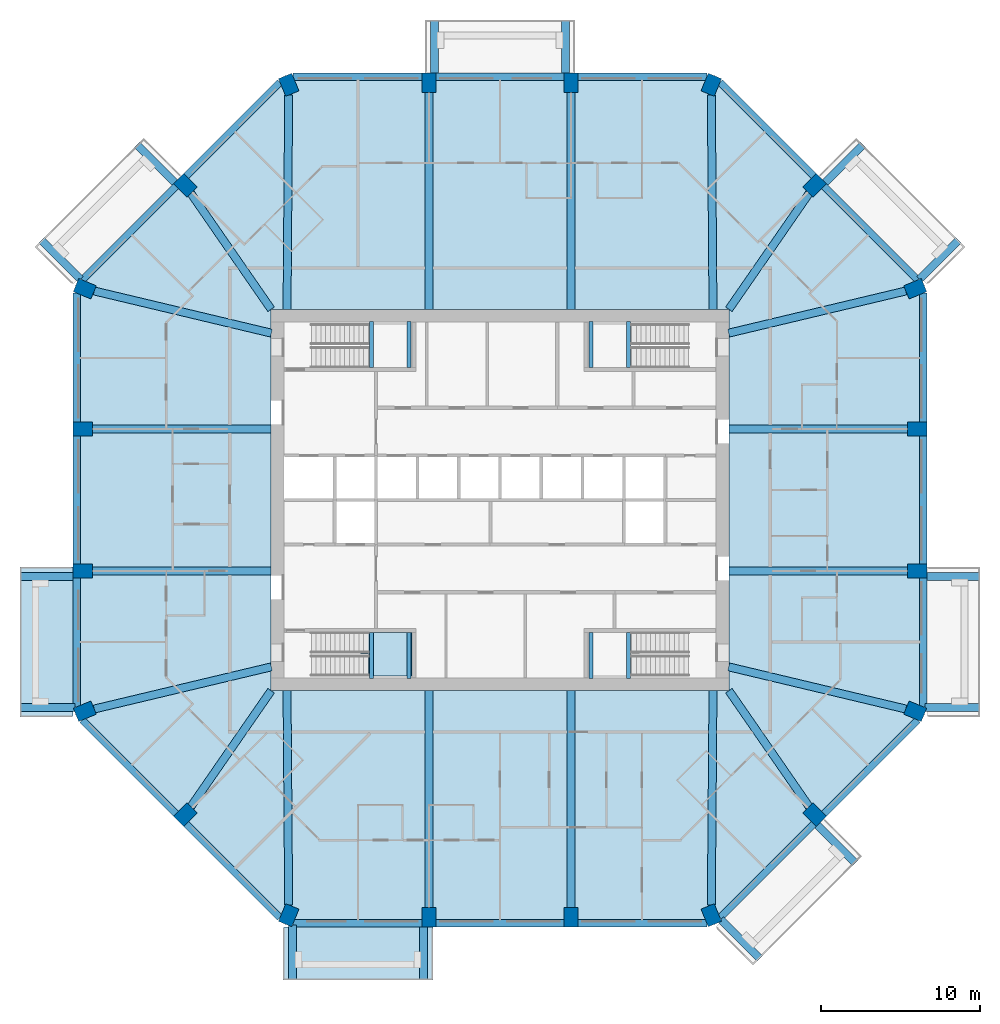
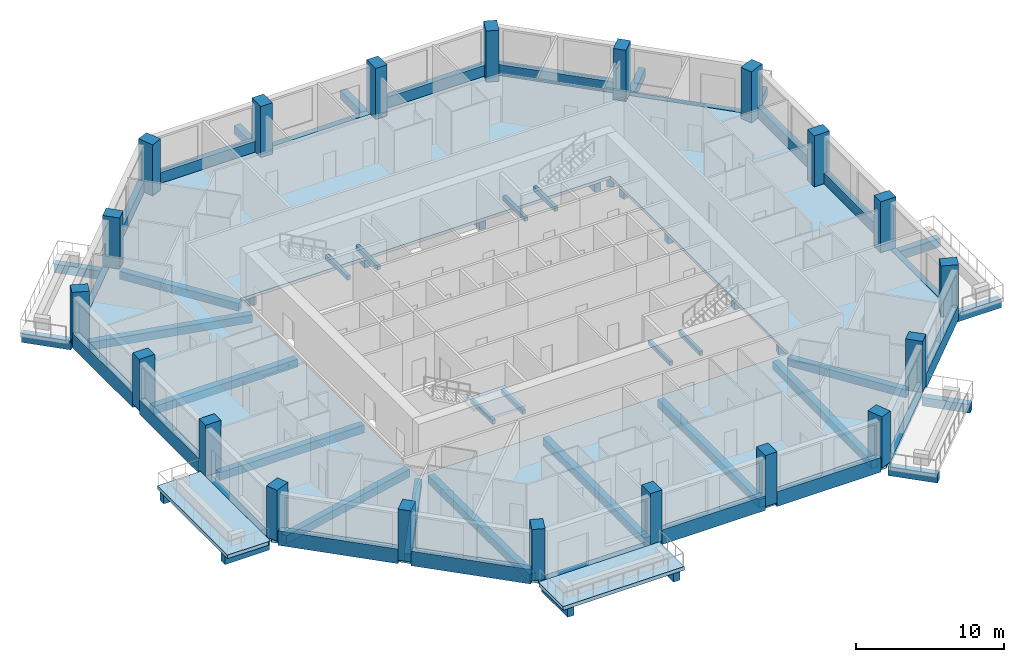
# One storey, part 1 of 12: 62 beams, 20 columns, 4 slabs, 1 element without a shape of its own.
"""IFC4 building model written with IfcOpenShell, lengths in metres."""

from ifc_helpers import new_model, si_unit, direction, frame, origin, origin_2d, place, context, subcontext, project, spatial, polyline, rectangle, outline, extrude, material, layer, layer_set, material_profile, profile_set, type_object, element, aggregate, save


model = new_model("IFC4")

# Units and contexts
model_context = context("Model", 3, precision=1e-05, world=origin(), true_north=direction((0.0, 1.0)))
body_context = subcontext(model_context, "Body", "Model", "MODEL_VIEW")
ifc_project = project(units=[si_unit("LENGTHUNIT", "METRE"), si_unit("AREAUNIT", "SQUARE_METRE"), si_unit("VOLUMEUNIT", "CUBIC_METRE"), si_unit("PLANEANGLEUNIT", "RADIAN"), si_unit("MASSUNIT", "GRAM", prefix="KILO")], contexts=[model_context])

# Site, building, storey
site_placement = place(None, origin())
site = spatial("IfcSite", under=ifc_project, at=site_placement, CompositionType="ELEMENT")
building_placement = place(site_placement, origin())
building = spatial("IfcBuilding", under=site, at=building_placement, Name="Msitu Wima Residences", CompositionType="ELEMENT")
storey_placement = place(building_placement, frame((0.0, 0.0, 127.5)))
storey = spatial("IfcBuildingStorey", under=building, at=storey_placement, Name="L29", CompositionType="ELEMENT", Elevation=127.5)

# Columns
ifc_material_1 = material(Name="Concrete C70/85", Category="concrete")
ifc_material_profile_1 = material_profile(ifc_material_1, rectangle(XDim=0.89990234375, YDim=1.199951171875, at=origin_2d()), Name="RC 900x1200")
ifc_profile_set_1 = profile_set([ifc_material_profile_1], Name="Concrete C70/85")
column_type = type_object("IfcColumnType", Name="Column RC 900x1200 Concrete C70/85", PredefinedType="COLUMN", material=ifc_profile_set_1)
for number, where, z_axis, x_axis, name in (
    (1, (26.12353515625, -13.291259765625, 0.0), (0.0, 0.0, 1.0), (0.382683496864, 0.923879505795, 0.0), "Column L29 C-E0"),
    (2, (26.25, -4.46875, 0.0), (0.0, 0.0, 1.0), (0.0, 1.0, 0.0), "Column L29 C-E1"),
    (3, (26.25, 4.46875, 0.0), (0.0, 0.0, 1.0), (0.0, 1.0, 0.0), "Column L29 C-E2"),
    (4, (26.12353515625, 13.291259765625, 0.0), (0.0, 0.0, 1.0), (-0.382683496864, 0.923879505795, 0.0), "Column L29 C-NE0"),
    (5, (19.796875, 19.796875, 0.0), (0.0, 0.0, 1.0), (-0.707106781187, 0.707106781187, 0.0), "Column L29 C-NE1"),
    (6, (13.291259765625, 26.12353515625, 0.0), (0.0, 0.0, 1.0), (-0.923879505795, 0.382683496864, 0.0), "Column L29 C-N0"),
    (7, (4.46875, 26.25, 0.0), (0.0, 0.0, 1.0), (-1.0, 0.0, 0.0), "Column L29 C-N1"),
    (8, (-4.46875, 26.25, 0.0), (0.0, 0.0, 1.0), (-1.0, 0.0, 0.0), "Column L29 C-N2"),
    (9, (-13.291259765625, 26.12353515625, 0.0), (0.0, 0.0, 1.0), (-0.923879505795, -0.382683496864, 0.0), "Column L29 C-NW0"),
    (10, (-19.796875, 19.796875, 0.0), (0.0, 0.0, 1.0), (-0.707106781187, -0.707106781187, 0.0), "Column L29 C-NW1"),
    (11, (-26.12353515625, 13.291259765625, 0.0), (0.0, 0.0, 1.0), (-0.382683496864, -0.923879505795, 0.0), "Column L29 C-W0"),
    (12, (-26.25, 4.46875, 0.0), (0.0, 0.0, 1.0), (0.0, -1.0, 0.0), "Column L29 C-W1"),
    (13, (-26.25, -4.46875, 0.0), (0.0, 0.0, 1.0), (0.0, -1.0, 0.0), "Column L29 C-W2"),
    (14, (-26.12353515625, -13.291259765625, 0.0), (0.0, 0.0, 1.0), (0.382683496864, -0.923879505795, 0.0), "Column L29 C-SW0"),
    (15, (-19.796875, -19.796875, 0.0), (0.0, 0.0, 1.0), (0.707106781187, -0.707106781187, 0.0), "Column L29 C-SW1"),
    (16, (-13.291259765625, -26.12353515625, 0.0), (0.0, 0.0, 1.0), (0.923879505795, -0.382683496864, 0.0), "Column L29 C-S0"),
    (17, (-4.46875, -26.25, 0.0), (0.0, 0.0, 1.0), (1.0, 0.0, 0.0), "Column L29 C-S1"),
    (18, (4.46875, -26.25, 0.0), (0.0, 0.0, 1.0), (1.0, 0.0, 0.0), "Column L29 C-S2"),
    (19, (13.291259765625, -26.12353515625, 0.0), (0.0, 0.0, 1.0), (0.923879505795, 0.382683496864, 0.0), "Column L29 C-SE0"),
    (20, (19.796875, -19.796875, 0.0), (0.0, 0.0, 1.0), (0.707106781187, 0.707106781187, 0.0), "Column L29 C-SE1"),
):
    element("IfcColumn", number, at=place(storey_placement, frame(where, z_axis=z_axis, x_axis=x_axis)), inside=storey, type_object=column_type, Name=name, PredefinedType="COLUMN", context=body_context, shape_type="SweptSolid", body=[
        extrude(rectangle(XDim=0.89990234375, YDim=1.199951171875, at=origin_2d()), origin(), (0.0, 0.0, 1.0), 4.199951171875),
    ])

# Beams
ifc_material_2 = material(Name="Concrete C50/60", Category="concrete")
ifc_material_profile_2 = material_profile(ifc_material_2, rectangle(XDim=0.5, YDim=0.64990234375, at=origin_2d()), Name="RC 500x650")
ifc_profile_set_2 = profile_set([ifc_material_profile_2], Name="Concrete C50/60")
beam_type_1 = type_object("IfcBeamType", Name="Beam RC 500x650 Concrete C50/60", PredefinedType="BEAM", material=ifc_profile_set_2)
beam_1_placement = place(storey_placement, frame((25.5322265625, -13.150634765625, -0.574951171875), z_axis=(-0.972805528659, 0.231623408598, 0.0), x_axis=(-0.231623408598, -0.972805528659, 0.0)))
element("IfcBeam", 21, at=beam_1_placement, inside=storey, type_object=beam_type_1, Name="Beam L29 C-E0", PredefinedType="BEAM", context=body_context, shape_type="SweptSolid", body=[
    extrude(rectangle(XDim=0.5, YDim=0.64990234375, at=origin_2d()), origin(), (0.0, 0.0, 1.0), 11.455322265625),
])
for number, where, z_axis, x_axis, name in (
    (22, (25.64990234375, -4.46875, -0.574951171875), (-1.0, 0.0, 0.0), (0.0, -1.0, 0.0), "Beam L29 C-E1"),
    (23, (25.64990234375, 4.46875, -0.574951171875), (-1.0, 0.0, 0.0), (0.0, -1.0, 0.0), "Beam L29 C-E2"),
):
    element("IfcBeam", number, at=place(storey_placement, frame(where, z_axis=z_axis, x_axis=x_axis)), inside=storey, type_object=beam_type_1, Name=name, PredefinedType="BEAM", context=body_context, shape_type="SweptSolid", body=[
        extrude(rectangle(XDim=0.5, YDim=0.64990234375, at=origin_2d()), origin(), (0.0, 0.0, 1.0), 11.25),
    ])
beam_2_placement = place(storey_placement, frame((25.5322265625, 13.150634765625, -0.574951171875), z_axis=(-0.972805528659, -0.231623408598, 0.0), x_axis=(0.231623408598, -0.972805528659, 0.0)))
element("IfcBeam", 24, at=beam_2_placement, inside=storey, type_object=beam_type_1, Name="Beam L29 C-NE0", PredefinedType="BEAM", context=body_context, shape_type="SweptSolid", body=[
    extrude(rectangle(XDim=0.5, YDim=0.64990234375, at=origin_2d()), origin(), (0.0, 0.0, 1.0), 11.455322265625),
])
beam_3_placement = place(storey_placement, frame((19.44970703125, 19.29541015625, -0.574951171875), z_axis=(-0.569144158363, -0.822237755763, 0.0), x_axis=(0.822237755763, -0.569144158363, 0.0)))
element("IfcBeam", 25, at=beam_3_placement, inside=storey, type_object=beam_type_1, Name="Beam L29 C-NE1", PredefinedType="BEAM", context=body_context, shape_type="SweptSolid", body=[
    extrude(rectangle(XDim=0.5, YDim=0.64990234375, at=origin_2d()), origin(), (0.0, 0.0, 1.0), 8.87255859375),
])
beam_4_placement = place(storey_placement, frame((13.29638671875, 25.471923828125, -0.574951171875), z_axis=(0.007694865426, -0.999970394085, 0.0), x_axis=(0.999970394085, 0.007694865426, 0.0)))
element("IfcBeam", 26, at=beam_4_placement, inside=storey, type_object=beam_type_1, Name="Beam L29 C-N0", PredefinedType="BEAM", context=body_context, shape_type="SweptSolid", body=[
    extrude(rectangle(XDim=0.5, YDim=0.64990234375, at=origin_2d()), origin(), (0.0, 0.0, 1.0), 13.484375),
])
for number, where, z_axis, x_axis, name in (
    (27, (4.46875, 25.64990234375, -0.574951171875), (0.0, -1.0, 0.0), (1.0, 0.0, 0.0), "Beam L29 C-N1"),
    (28, (-4.46875, 25.64990234375, -0.574951171875), (0.0, -1.0, 0.0), (1.0, 0.0, 0.0), "Beam L29 C-N2"),
):
    element("IfcBeam", number, at=place(storey_placement, frame(where, z_axis=z_axis, x_axis=x_axis)), inside=storey, type_object=beam_type_1, Name=name, PredefinedType="BEAM", context=body_context, shape_type="SweptSolid", body=[
        extrude(rectangle(XDim=0.5, YDim=0.64990234375, at=origin_2d()), origin(), (0.0, 0.0, 1.0), 13.64990234375),
    ])
beam_5_placement = place(storey_placement, frame((-13.29638671875, 25.471923828125, -0.574951171875), z_axis=(-0.007694865426, -0.999970394085, 0.0), x_axis=(0.999970394085, -0.007694865426, 0.0)))
element("IfcBeam", 29, at=beam_5_placement, inside=storey, type_object=beam_type_1, Name="Beam L29 C-NW0", PredefinedType="BEAM", context=body_context, shape_type="SweptSolid", body=[
    extrude(rectangle(XDim=0.5, YDim=0.64990234375, at=origin_2d()), origin(), (0.0, 0.0, 1.0), 13.484375),
])
beam_6_placement = place(storey_placement, frame((-19.44970703125, 19.29541015625, -0.574951171875), z_axis=(0.569144158363, -0.822237755763, 0.0), x_axis=(0.822237755763, 0.569144158363, 0.0)))
element("IfcBeam", 30, at=beam_6_placement, inside=storey, type_object=beam_type_1, Name="Beam L29 C-NW1", PredefinedType="BEAM", context=body_context, shape_type="SweptSolid", body=[
    extrude(rectangle(XDim=0.5, YDim=0.64990234375, at=origin_2d()), origin(), (0.0, 0.0, 1.0), 8.87255859375),
])
beam_7_placement = place(storey_placement, frame((-25.5322265625, 13.150634765625, -0.574951171875), z_axis=(0.972805528659, -0.231623408598, 0.0), x_axis=(0.231623408598, 0.972805528659, 0.0)))
element("IfcBeam", 31, at=beam_7_placement, inside=storey, type_object=beam_type_1, Name="Beam L29 C-W0", PredefinedType="BEAM", context=body_context, shape_type="SweptSolid", body=[
    extrude(rectangle(XDim=0.5, YDim=0.64990234375, at=origin_2d()), origin(), (0.0, 0.0, 1.0), 11.455322265625),
])
for number, where, z_axis, x_axis, name in (
    (32, (-25.64990234375, 4.46875, -0.574951171875), (1.0, 0.0, 0.0), (0.0, 1.0, 0.0), "Beam L29 C-W1"),
    (33, (-25.64990234375, -4.46875, -0.574951171875), (1.0, 0.0, 0.0), (0.0, 1.0, 0.0), "Beam L29 C-W2"),
):
    element("IfcBeam", number, at=place(storey_placement, frame(where, z_axis=z_axis, x_axis=x_axis)), inside=storey, type_object=beam_type_1, Name=name, PredefinedType="BEAM", context=body_context, shape_type="SweptSolid", body=[
        extrude(rectangle(XDim=0.5, YDim=0.64990234375, at=origin_2d()), origin(), (0.0, 0.0, 1.0), 11.25),
    ])
beam_8_placement = place(storey_placement, frame((-25.5322265625, -13.150634765625, -0.574951171875), z_axis=(0.972805528659, 0.231623408598, 0.0), x_axis=(-0.231623408598, 0.972805528659, 0.0)))
element("IfcBeam", 34, at=beam_8_placement, inside=storey, type_object=beam_type_1, Name="Beam L29 C-SW0", PredefinedType="BEAM", context=body_context, shape_type="SweptSolid", body=[
    extrude(rectangle(XDim=0.5, YDim=0.64990234375, at=origin_2d()), origin(), (0.0, 0.0, 1.0), 11.455322265625),
])
beam_9_placement = place(storey_placement, frame((-19.44970703125, -19.29541015625, -0.574951171875), z_axis=(0.569144158363, 0.822237755763, 0.0), x_axis=(-0.822237755763, 0.569144158363, 0.0)))
element("IfcBeam", 35, at=beam_9_placement, inside=storey, type_object=beam_type_1, Name="Beam L29 C-SW1", PredefinedType="BEAM", context=body_context, shape_type="SweptSolid", body=[
    extrude(rectangle(XDim=0.5, YDim=0.64990234375, at=origin_2d()), origin(), (0.0, 0.0, 1.0), 8.87255859375),
])
beam_10_placement = place(storey_placement, frame((-13.29638671875, -25.471923828125, -0.574951171875), z_axis=(-0.007694865426, 0.999970394085, 0.0), x_axis=(-0.999970394085, -0.007694865426, 0.0)))
element("IfcBeam", 36, at=beam_10_placement, inside=storey, type_object=beam_type_1, Name="Beam L29 C-S0", PredefinedType="BEAM", context=body_context, shape_type="SweptSolid", body=[
    extrude(rectangle(XDim=0.5, YDim=0.64990234375, at=origin_2d()), origin(), (0.0, 0.0, 1.0), 13.484375),
])
for number, where, z_axis, x_axis, name in (
    (37, (-4.46875, -25.64990234375, -0.574951171875), (0.0, 1.0, 0.0), (-1.0, 0.0, 0.0), "Beam L29 C-S1"),
    (38, (4.46875, -25.64990234375, -0.574951171875), (0.0, 1.0, 0.0), (-1.0, 0.0, 0.0), "Beam L29 C-S2"),
):
    element("IfcBeam", number, at=place(storey_placement, frame(where, z_axis=z_axis, x_axis=x_axis)), inside=storey, type_object=beam_type_1, Name=name, PredefinedType="BEAM", context=body_context, shape_type="SweptSolid", body=[
        extrude(rectangle(XDim=0.5, YDim=0.64990234375, at=origin_2d()), origin(), (0.0, 0.0, 1.0), 13.64990234375),
    ])
beam_11_placement = place(storey_placement, frame((13.29638671875, -25.471923828125, -0.574951171875), z_axis=(0.007694865426, 0.999970394085, 0.0), x_axis=(-0.999970394085, 0.007694865426, 0.0)))
element("IfcBeam", 39, at=beam_11_placement, inside=storey, type_object=beam_type_1, Name="Beam L29 C-SE0", PredefinedType="BEAM", context=body_context, shape_type="SweptSolid", body=[
    extrude(rectangle(XDim=0.5, YDim=0.64990234375, at=origin_2d()), origin(), (0.0, 0.0, 1.0), 13.484375),
])
beam_12_placement = place(storey_placement, frame((19.44970703125, -19.29541015625, -0.574951171875), z_axis=(-0.569144158363, 0.822237755763, 0.0), x_axis=(-0.822237755763, -0.569144158363, 0.0)))
element("IfcBeam", 40, at=beam_12_placement, inside=storey, type_object=beam_type_1, Name="Beam L29 C-SE1", PredefinedType="BEAM", context=body_context, shape_type="SweptSolid", body=[
    extrude(rectangle(XDim=0.5, YDim=0.64990234375, at=origin_2d()), origin(), (0.0, 0.0, 1.0), 8.87255859375),
])
ifc_material_profile_3 = material_profile(ifc_material_2, rectangle(XDim=0.5, YDim=0.699951171875, at=origin_2d()), Name="RC 500x700")
ifc_profile_set_3 = profile_set([ifc_material_profile_3], Name="Concrete C50/60")
beam_type_2 = type_object("IfcBeamType", Name="Cantilever beam RC 500x700 Concrete C50/60", PredefinedType="BEAM", material=ifc_profile_set_3)
beam_13_placement = place(storey_placement, frame((26.73095703125, -13.055908203125, -0.64990234375), z_axis=(1.0, 0.0, 0.0), x_axis=(0.0, 1.0, 0.0)))
element("IfcBeam", 41, at=beam_13_placement, inside=storey, type_object=beam_type_2, Name="Cantilever beam L29 BA-E0 A", PredefinedType="BEAM", context=body_context, shape_type="SweptSolid", body=[
    extrude(rectangle(XDim=0.5, YDim=0.699951171875, at=origin_2d()), origin(), (0.0, 0.0, 1.0), 3.468994140625),
])
beam_14_placement = place(storey_placement, frame((26.85009765625, -4.818603515625, -0.64990234375), z_axis=(1.0, 0.0, 0.0), x_axis=(0.0, 1.0, 0.0)))
element("IfcBeam", 42, at=beam_14_placement, inside=storey, type_object=beam_type_2, Name="Cantilever beam L29 BA-E0 B", PredefinedType="BEAM", context=body_context, shape_type="SweptSolid", body=[
    extrude(rectangle(XDim=0.5, YDim=0.699951171875, at=origin_2d()), origin(), (0.0, 0.0, 1.0), 3.349853515625),
])
beam_15_placement = place(storey_placement, frame((26.386474609375, 13.887451171875, -0.64990234375), z_axis=(0.707141968506, 0.707071592116, 0.0), x_axis=(-0.707071592116, 0.707141968506, 0.0)))
element("IfcBeam", 43, at=beam_15_placement, inside=storey, type_object=beam_type_2, Name="Cantilever beam L29 BA-NE0 A", PredefinedType="BEAM", context=body_context, shape_type="SweptSolid", body=[
    extrude(rectangle(XDim=0.5, YDim=0.699951171875, at=origin_2d()), origin(), (0.0, 0.0, 1.0), 3.468994140625),
])
for number, where, z_axis, x_axis, name in (
    (44, (20.46875, 19.9736328125, -0.64990234375), (0.707070340836, 0.707143219659, 0.0), (-0.707143219659, 0.707070340836, 0.0), "Cantilever beam L29 BA-NE0 B"),
    (45, (4.11865234375, 26.85009765625, -0.64990234375), (0.0, 1.0, 0.0), (-1.0, 0.0, 0.0), "Cantilever beam L29 BA-N1 A"),
    (46, (-4.11865234375, 26.85009765625, -0.64990234375), (0.0, 1.0, 0.0), (-1.0, 0.0, 0.0), "Cantilever beam L29 BA-N1 B"),
    (47, (-20.46875, 19.9736328125, -0.64990234375), (-0.707070340836, 0.707143219659, 0.0), (-0.707143219659, -0.707070340836, 0.0), "Cantilever beam L29 BA-NW1 A"),
):
    element("IfcBeam", number, at=place(storey_placement, frame(where, z_axis=z_axis, x_axis=x_axis)), inside=storey, type_object=beam_type_2, Name=name, PredefinedType="BEAM", context=body_context, shape_type="SweptSolid", body=[
        extrude(rectangle(XDim=0.5, YDim=0.699951171875, at=origin_2d()), origin(), (0.0, 0.0, 1.0), 3.349853515625),
    ])
beam_16_placement = place(storey_placement, frame((-26.386474609375, 13.887451171875, -0.64990234375), z_axis=(-0.707141968506, 0.707071592116, 0.0), x_axis=(-0.707071592116, -0.707141968506, 0.0)))
element("IfcBeam", 48, at=beam_16_placement, inside=storey, type_object=beam_type_2, Name="Cantilever beam L29 BA-NW1 B", PredefinedType="BEAM", context=body_context, shape_type="SweptSolid", body=[
    extrude(rectangle(XDim=0.5, YDim=0.699951171875, at=origin_2d()), origin(), (0.0, 0.0, 1.0), 3.468994140625),
])
beam_17_placement = place(storey_placement, frame((-26.85009765625, -4.818603515625, -0.64990234375), z_axis=(-1.0, 0.0, 0.0), x_axis=(0.0, -1.0, 0.0)))
element("IfcBeam", 49, at=beam_17_placement, inside=storey, type_object=beam_type_2, Name="Cantilever beam L29 BA-W2 A", PredefinedType="BEAM", context=body_context, shape_type="SweptSolid", body=[
    extrude(rectangle(XDim=0.5, YDim=0.699951171875, at=origin_2d()), origin(), (0.0, 0.0, 1.0), 3.349853515625),
])
for number, where, z_axis, x_axis, name in (
    (50, (-26.73095703125, -13.055908203125, -0.64990234375), (-1.0, 0.0, 0.0), (0.0, -1.0, 0.0), "Cantilever beam L29 BA-W2 B"),
    (51, (-13.055908203125, -26.73095703125, -0.64990234375), (0.0, -1.0, 0.0), (1.0, 0.0, 0.0), "Cantilever beam L29 BA-S0 A"),
):
    element("IfcBeam", number, at=place(storey_placement, frame(where, z_axis=z_axis, x_axis=x_axis)), inside=storey, type_object=beam_type_2, Name=name, PredefinedType="BEAM", context=body_context, shape_type="SweptSolid", body=[
        extrude(rectangle(XDim=0.5, YDim=0.699951171875, at=origin_2d()), origin(), (0.0, 0.0, 1.0), 3.468994140625),
    ])
beam_18_placement = place(storey_placement, frame((-4.818603515625, -26.85009765625, -0.64990234375), z_axis=(0.0, -1.0, 0.0), x_axis=(1.0, 0.0, 0.0)))
element("IfcBeam", 52, at=beam_18_placement, inside=storey, type_object=beam_type_2, Name="Cantilever beam L29 BA-S0 B", PredefinedType="BEAM", context=body_context, shape_type="SweptSolid", body=[
    extrude(rectangle(XDim=0.5, YDim=0.699951171875, at=origin_2d()), origin(), (0.0, 0.0, 1.0), 3.349853515625),
])
beam_19_placement = place(storey_placement, frame((13.887451171875, -26.386474609375, -0.64990234375), z_axis=(0.707071592116, -0.707141968506, 0.0), x_axis=(0.707141968506, 0.707071592116, 0.0)))
element("IfcBeam", 53, at=beam_19_placement, inside=storey, type_object=beam_type_2, Name="Cantilever beam L29 BA-SE0 A", PredefinedType="BEAM", context=body_context, shape_type="SweptSolid", body=[
    extrude(rectangle(XDim=0.5, YDim=0.699951171875, at=origin_2d()), origin(), (0.0, 0.0, 1.0), 3.468994140625),
])
beam_20_placement = place(storey_placement, frame((19.9736328125, -20.46875, -0.64990234375), z_axis=(0.707143219659, -0.707070340836, 0.0), x_axis=(0.707070340836, 0.707143219659, 0.0)))
element("IfcBeam", 54, at=beam_20_placement, inside=storey, type_object=beam_type_2, Name="Cantilever beam L29 BA-SE0 B", PredefinedType="BEAM", context=body_context, shape_type="SweptSolid", body=[
    extrude(rectangle(XDim=0.5, YDim=0.699951171875, at=origin_2d()), origin(), (0.0, 0.0, 1.0), 3.349853515625),
])
ifc_material_profile_4 = material_profile(ifc_material_2, rectangle(XDim=0.449951171875, YDim=0.300048828125, at=origin_2d()), Name="RC 450x300")
ifc_profile_set_4 = profile_set([ifc_material_profile_4], Name="Concrete C50/60")
beam_type_3 = type_object("IfcBeamType", Name="Edge beam RC 450x300 Concrete C50/60", PredefinedType="SPANDREL", material=ifc_profile_set_4)
beam_21_placement = place(storey_placement, frame((26.625, -13.02392578125, -0.14990234375), z_axis=(0.0, 1.0, 0.0), x_axis=(-1.0, 0.0, 0.0)))
element("IfcBeam", 55, at=beam_21_placement, inside=storey, type_object=beam_type_3, Name="Spandrel L29 E0", PredefinedType="SPANDREL", context=body_context, shape_type="SweptSolid", body=[
    extrude(rectangle(XDim=0.449951171875, YDim=0.300048828125, at=origin_2d()), origin(), (0.0, 0.0, 1.0), 8.105224609375),
])
beam_22_placement = place(storey_placement, frame((26.2890625, 13.8349609375, -0.14990234375), z_axis=(-0.707106781187, 0.707106781187, 0.0), x_axis=(-0.707106781187, -0.707106781187, 0.0)))
element("IfcBeam", 56, at=beam_22_placement, inside=storey, type_object=beam_type_3, Name="Spandrel L29 NE0", PredefinedType="SPANDREL", context=body_context, shape_type="SweptSolid", body=[
    extrude(rectangle(XDim=0.449951171875, YDim=0.300048828125, at=origin_2d()), origin(), (0.0, 0.0, 1.0), 8.3564453125),
])
beam_23_placement = place(storey_placement, frame((4.0185546875, 26.625, -0.14990234375), z_axis=(-1.0, 0.0, 0.0), x_axis=(0.0, -1.0, 0.0)))
element("IfcBeam", 57, at=beam_23_placement, inside=storey, type_object=beam_type_3, Name="Spandrel L29 N1", PredefinedType="SPANDREL", context=body_context, shape_type="SweptSolid", body=[
    extrude(rectangle(XDim=0.449951171875, YDim=0.300048828125, at=origin_2d()), origin(), (0.0, 0.0, 1.0), 8.037109375),
])
beam_24_placement = place(storey_placement, frame((-20.380126953125, 19.743896484375, -0.14990234375), z_axis=(-0.707106781187, -0.707106781187, 0.0), x_axis=(0.707106781187, -0.707106781187, 0.0)))
element("IfcBeam", 58, at=beam_24_placement, inside=storey, type_object=beam_type_3, Name="Spandrel L29 NW1", PredefinedType="SPANDREL", context=body_context, shape_type="SweptSolid", body=[
    extrude(rectangle(XDim=0.449951171875, YDim=0.300048828125, at=origin_2d()), origin(), (0.0, 0.0, 1.0), 8.3564453125),
])
for number, where, z_axis, x_axis, name in (
    (59, (-26.625, -4.918701171875, -0.14990234375), (0.0, -1.0, 0.0), (1.0, 0.0, 0.0), "Spandrel L29 W2"),
    (60, (-13.02392578125, -26.625, -0.14990234375), (1.0, 0.0, 0.0), (0.0, 1.0, 0.0), "Spandrel L29 S0"),
):
    element("IfcBeam", number, at=place(storey_placement, frame(where, z_axis=z_axis, x_axis=x_axis)), inside=storey, type_object=beam_type_3, Name=name, PredefinedType="SPANDREL", context=body_context, shape_type="SweptSolid", body=[
        extrude(rectangle(XDim=0.449951171875, YDim=0.300048828125, at=origin_2d()), origin(), (0.0, 0.0, 1.0), 8.105224609375),
    ])
beam_25_placement = place(storey_placement, frame((13.8349609375, -26.2890625, -0.14990234375), z_axis=(0.707106781187, 0.707106781187, 0.0), x_axis=(-0.707106781187, 0.707106781187, 0.0)))
element("IfcBeam", 61, at=beam_25_placement, inside=storey, type_object=beam_type_3, Name="Spandrel L29 SE0", PredefinedType="SPANDREL", context=body_context, shape_type="SweptSolid", body=[
    extrude(rectangle(XDim=0.449951171875, YDim=0.300048828125, at=origin_2d()), origin(), (0.0, 0.0, 1.0), 8.3564453125),
])
ifc_material_3 = material(Name="Concrete C40/50", Category="concrete")
ifc_material_profile_5 = material_profile(ifc_material_3, rectangle(XDim=0.25, YDim=0.35009765625, at=origin_2d()), Name="RC 250x350")
ifc_profile_set_5 = profile_set([ifc_material_profile_5], Name="Concrete C40/50")
beam_type_4 = type_object("IfcBeamType", Name="Landing beam RC 250x350", PredefinedType="BEAM", material=ifc_profile_set_5)
for number, where, z_axis, x_axis, name in (
    (62, (-8.074951171875, 8.324951171875, 1.72509765625), (0.0, 1.0, 0.0), (-1.0, 0.0, 0.0), "Stair 1 landing beam"),
    (63, (-5.72509765625, 8.324951171875, 1.72509765625), (0.0, 1.0, 0.0), (-1.0, 0.0, 0.0), "Stair 1 landing beam"),
    (64, (-8.074951171875, -11.22509765625, 1.72509765625), (0.0, 1.0, 0.0), (-1.0, 0.0, 0.0), "Stair 2 landing beam"),
    (65, (-5.72509765625, -11.22509765625, 1.72509765625), (0.0, 1.0, 0.0), (-1.0, 0.0, 0.0), "Stair 2 landing beam"),
    (66, (8.074951171875, 8.324951171875, 1.72509765625), (0.0, 1.0, 0.0), (-1.0, 0.0, 0.0), "Stair 3 landing beam"),
    (67, (5.72509765625, 8.324951171875, 1.72509765625), (0.0, 1.0, 0.0), (-1.0, 0.0, 0.0), "Stair 3 landing beam"),
    (68, (8.074951171875, -11.22509765625, 1.72509765625), (0.0, 1.0, 0.0), (-1.0, 0.0, 0.0), "Stair 4 landing beam"),
    (69, (5.72509765625, -11.22509765625, 1.72509765625), (0.0, 1.0, 0.0), (-1.0, 0.0, 0.0), "Stair 4 landing beam"),
):
    element("IfcBeam", number, at=place(storey_placement, frame(where, z_axis=z_axis, x_axis=x_axis)), inside=storey, type_object=beam_type_4, Name=name, PredefinedType="BEAM", context=body_context, shape_type="SweptSolid", body=[
        extrude(rectangle(XDim=0.25, YDim=0.35009765625, at=origin_2d()), origin(), (0.0, 0.0, 1.0), 2.900146484375),
    ])
ifc_material_profile_6 = material_profile(ifc_material_2, rectangle(XDim=0.449951171875, YDim=1.199951171875, at=origin_2d()), Name="RC 450x1200")
ifc_profile_set_6 = profile_set([ifc_material_profile_6], Name="Concrete C50/60")
beam_type_5 = type_object("IfcBeamType", Name="Spandrel RC 450x1200 Concrete C50/60", PredefinedType="SPANDREL", material=ifc_profile_set_6)
beam_26_placement = place(storey_placement, frame((26.625, -4.0185546875, 0.300048828125), z_axis=(0.0, 1.0, 0.0), x_axis=(-1.0, 0.0, 0.0)))
element("IfcBeam", 70, at=beam_26_placement, inside=storey, type_object=beam_type_5, Name="Spandrel L29 E1", PredefinedType="SPANDREL", context=body_context, shape_type="SweptSolid", body=[
    extrude(rectangle(XDim=0.449951171875, YDim=1.199951171875, at=origin_2d()), origin(), (0.0, 0.0, 1.0), 8.037109375),
])
beam_27_placement = place(storey_placement, frame((26.625, 4.918701171875, 0.300048828125), z_axis=(0.0, 1.0, 0.0), x_axis=(-1.0, 0.0, 0.0)))
element("IfcBeam", 71, at=beam_27_placement, inside=storey, type_object=beam_type_5, Name="Spandrel L29 E2", PredefinedType="SPANDREL", context=body_context, shape_type="SweptSolid", body=[
    extrude(rectangle(XDim=0.449951171875, YDim=1.199951171875, at=origin_2d()), origin(), (0.0, 0.0, 1.0), 8.105224609375),
])
beam_28_placement = place(storey_placement, frame((19.743896484375, 20.380126953125, 0.300048828125), z_axis=(-0.707106781187, 0.707106781187, 0.0), x_axis=(-0.707106781187, -0.707106781187, 0.0)))
element("IfcBeam", 72, at=beam_28_placement, inside=storey, type_object=beam_type_5, Name="Spandrel L29 NE1", PredefinedType="SPANDREL", context=body_context, shape_type="SweptSolid", body=[
    extrude(rectangle(XDim=0.449951171875, YDim=1.199951171875, at=origin_2d()), origin(), (0.0, 0.0, 1.0), 8.3564453125),
])
for number, where, z_axis, x_axis, name in (
    (73, (13.02392578125, 26.625, 0.300048828125), (-1.0, 0.0, 0.0), (0.0, -1.0, 0.0), "Spandrel L29 N0"),
    (74, (-4.918701171875, 26.625, 0.300048828125), (-1.0, 0.0, 0.0), (0.0, -1.0, 0.0), "Spandrel L29 N2"),
):
    element("IfcBeam", number, at=place(storey_placement, frame(where, z_axis=z_axis, x_axis=x_axis)), inside=storey, type_object=beam_type_5, Name=name, PredefinedType="SPANDREL", context=body_context, shape_type="SweptSolid", body=[
        extrude(rectangle(XDim=0.449951171875, YDim=1.199951171875, at=origin_2d()), origin(), (0.0, 0.0, 1.0), 8.105224609375),
    ])
beam_29_placement = place(storey_placement, frame((-13.8349609375, 26.2890625, 0.300048828125), z_axis=(-0.707106781187, -0.707106781187, 0.0), x_axis=(0.707106781187, -0.707106781187, 0.0)))
element("IfcBeam", 75, at=beam_29_placement, inside=storey, type_object=beam_type_5, Name="Spandrel L29 NW0", PredefinedType="SPANDREL", context=body_context, shape_type="SweptSolid", body=[
    extrude(rectangle(XDim=0.449951171875, YDim=1.199951171875, at=origin_2d()), origin(), (0.0, 0.0, 1.0), 8.3564453125),
])
beam_30_placement = place(storey_placement, frame((-26.625, 13.02392578125, 0.300048828125), z_axis=(0.0, -1.0, 0.0), x_axis=(1.0, 0.0, 0.0)))
element("IfcBeam", 76, at=beam_30_placement, inside=storey, type_object=beam_type_5, Name="Spandrel L29 W0", PredefinedType="SPANDREL", context=body_context, shape_type="SweptSolid", body=[
    extrude(rectangle(XDim=0.449951171875, YDim=1.199951171875, at=origin_2d()), origin(), (0.0, 0.0, 1.0), 8.105224609375),
])
beam_31_placement = place(storey_placement, frame((-26.625, 4.0185546875, 0.300048828125), z_axis=(0.0, -1.0, 0.0), x_axis=(1.0, 0.0, 0.0)))
element("IfcBeam", 77, at=beam_31_placement, inside=storey, type_object=beam_type_5, Name="Spandrel L29 W1", PredefinedType="SPANDREL", context=body_context, shape_type="SweptSolid", body=[
    extrude(rectangle(XDim=0.449951171875, YDim=1.199951171875, at=origin_2d()), origin(), (0.0, 0.0, 1.0), 8.037109375),
])
for number, where, z_axis, x_axis, name in (
    (78, (-26.2890625, -13.8349609375, 0.300048828125), (0.707106781187, -0.707106781187, 0.0), (0.707106781187, 0.707106781187, 0.0), "Spandrel L29 SW0"),
    (79, (-19.743896484375, -20.380126953125, 0.300048828125), (0.707106781187, -0.707106781187, 0.0), (0.707106781187, 0.707106781187, 0.0), "Spandrel L29 SW1"),
):
    element("IfcBeam", number, at=place(storey_placement, frame(where, z_axis=z_axis, x_axis=x_axis)), inside=storey, type_object=beam_type_5, Name=name, PredefinedType="SPANDREL", context=body_context, shape_type="SweptSolid", body=[
        extrude(rectangle(XDim=0.449951171875, YDim=1.199951171875, at=origin_2d()), origin(), (0.0, 0.0, 1.0), 8.3564453125),
    ])
beam_32_placement = place(storey_placement, frame((-4.0185546875, -26.625, 0.300048828125), z_axis=(1.0, 0.0, 0.0), x_axis=(0.0, 1.0, 0.0)))
element("IfcBeam", 80, at=beam_32_placement, inside=storey, type_object=beam_type_5, Name="Spandrel L29 S1", PredefinedType="SPANDREL", context=body_context, shape_type="SweptSolid", body=[
    extrude(rectangle(XDim=0.449951171875, YDim=1.199951171875, at=origin_2d()), origin(), (0.0, 0.0, 1.0), 8.037109375),
])
beam_33_placement = place(storey_placement, frame((4.918701171875, -26.625, 0.300048828125), z_axis=(1.0, 0.0, 0.0), x_axis=(0.0, 1.0, 0.0)))
element("IfcBeam", 81, at=beam_33_placement, inside=storey, type_object=beam_type_5, Name="Spandrel L29 S2", PredefinedType="SPANDREL", context=body_context, shape_type="SweptSolid", body=[
    extrude(rectangle(XDim=0.449951171875, YDim=1.199951171875, at=origin_2d()), origin(), (0.0, 0.0, 1.0), 8.105224609375),
])
beam_34_placement = place(storey_placement, frame((20.380126953125, -19.743896484375, 0.300048828125), z_axis=(0.707106781187, 0.707106781187, 0.0), x_axis=(-0.707106781187, 0.707106781187, 0.0)))
element("IfcBeam", 82, at=beam_34_placement, inside=storey, type_object=beam_type_5, Name="Spandrel L29 SE1", PredefinedType="SPANDREL", context=body_context, shape_type="SweptSolid", body=[
    extrude(rectangle(XDim=0.449951171875, YDim=1.199951171875, at=origin_2d()), origin(), (0.0, 0.0, 1.0), 8.3564453125),
])

# Slabs
ifc_layer_1 = layer(ifc_material_3, 0.300048828125)
ifc_layer_set_1 = layer_set([ifc_layer_1], Name="Concrete C40/50")
slab_type_1 = type_object("IfcSlabType", Name="Balcony slab BS300", PredefinedType="FLOOR", material=ifc_layer_set_1)
slab_1_placement = place(storey_placement, frame((0.0, 0.0, -0.300048828125)))
element("IfcSlab", 83, at=slab_1_placement, inside=storey, type_object=slab_type_1, Name="Balcony W2 L29", PredefinedType="FLOOR", context=body_context, shape_type="SweptSolid", body=[
    extrude(outline(polyline([(-26.85009765625, -13.105224609375), (-26.85009765625, -13.105224609375), (-26.85009765625, -13.59228515625), (-27.003662109375, -13.656005859375), (-30.199951171875, -13.656005859375), (-30.199951171875, -4.21875), (-26.85009765625, -4.21875), (-26.85009765625, -4.918701171875), (-26.85009765625, -4.918701171875), (-26.85009765625, -13.105224609375), (-26.85009765625, -13.105224609375)])), origin(), (0.0, 0.0, 1.0), 0.300048828125),
])
slab_2_placement = place(storey_placement, frame((0.0, 0.0, -0.300048828125)))
element("IfcSlab", 84, at=slab_2_placement, inside=storey, type_object=slab_type_1, Name="Balcony S0 L29", PredefinedType="FLOOR", context=body_context, shape_type="SweptSolid", body=[
    extrude(outline(polyline([(-13.105224609375, -26.85009765625), (-13.105224609375, -26.85009765625), (-4.918701171875, -26.85009765625), (-4.918701171875, -26.85009765625), (-4.21875, -26.85009765625), (-4.21875, -30.199951171875), (-13.656005859375, -30.199951171875), (-13.656005859375, -27.003662109375), (-13.59228515625, -26.85009765625), (-13.105224609375, -26.85009765625), (-13.105224609375, -26.85009765625)])), origin(), (0.0, 0.0, 1.0), 0.300048828125),
])
ifc_layer_2 = layer(ifc_material_3, 0.25)
ifc_layer_set_2 = layer_set([ifc_layer_2], Name="Concrete C40/50")
slab_type_2 = type_object("IfcSlabType", Name="PT flat slab 250 Concrete C40/50", PredefinedType="FLOOR", material=ifc_layer_set_2)
slab_3_placement = place(storey_placement, frame((0.0, 0.0, -0.25)))
element("IfcSlab", 85, at=slab_3_placement, inside=storey, type_object=slab_type_2, Name="Floor slab L29", PredefinedType="FLOOR", context=body_context, shape_type="SweptSolid", body=[
    extrude(outline(polyline([(26.699951171875, -13.5302734375), (13.5302734375, -26.699951171875), (-13.5302734375, -26.699951171875), (-26.699951171875, -13.5302734375), (-26.699951171875, 13.5302734375), (-13.5302734375, 26.699951171875), (13.5302734375, 26.699951171875), (26.699951171875, 13.5302734375), (26.699951171875, -13.5302734375)]), holes=[polyline([(-14.39990234375, -12.0), (14.39990234375, -12.0), (14.39990234375, 12.0), (-14.39990234375, 12.0), (-14.39990234375, -12.0)])]), origin(), (0.0, 0.0, 1.0), 0.25),
])

# Stair, slab
stair_type = type_object("IfcStairType", Name="Exit stair ES1615-130", PredefinedType="HALF_TURN_STAIR", material=ifc_material_3)
stair_placement = place(storey_placement, origin())
stair = element("IfcStair", 86, at=stair_placement, inside=storey, type_object=stair_type, Name="Exit stair 2", PredefinedType="HALF_TURN_STAIR")
ifc_layer_3 = layer(ifc_material_3, 0.199951171875)
ifc_layer_set_3 = layer_set([ifc_layer_3], Name="Concrete C40/50")
slab_type_3 = type_object("IfcSlabType", Name="Stair landing SL200", PredefinedType="LANDING", material=ifc_layer_set_3)
slab_4_placement = place(storey_placement, frame((0.0, 0.0, 1.89990234375)))
slab_4 = element("IfcSlab", 87, at=slab_4_placement, type_object=slab_type_3, Name="S2 landing 1", PredefinedType="LANDING", context=body_context, shape_type="SweptSolid", body=[
    extrude(outline(polyline([(-5.52490234375, -11.074951171875), (-8.275390625, -11.074951171875), (-8.275390625, -9.699951171875), (-8.77490234375, -9.699951171875), (-8.77490234375, -8.324951171875), (-5.52490234375, -8.324951171875), (-5.52490234375, -11.074951171875)])), origin(), (0.0, 0.0, 1.0), 0.2001953125),
])
aggregate(stair, [slab_4])

save(model, "model.ifc")
